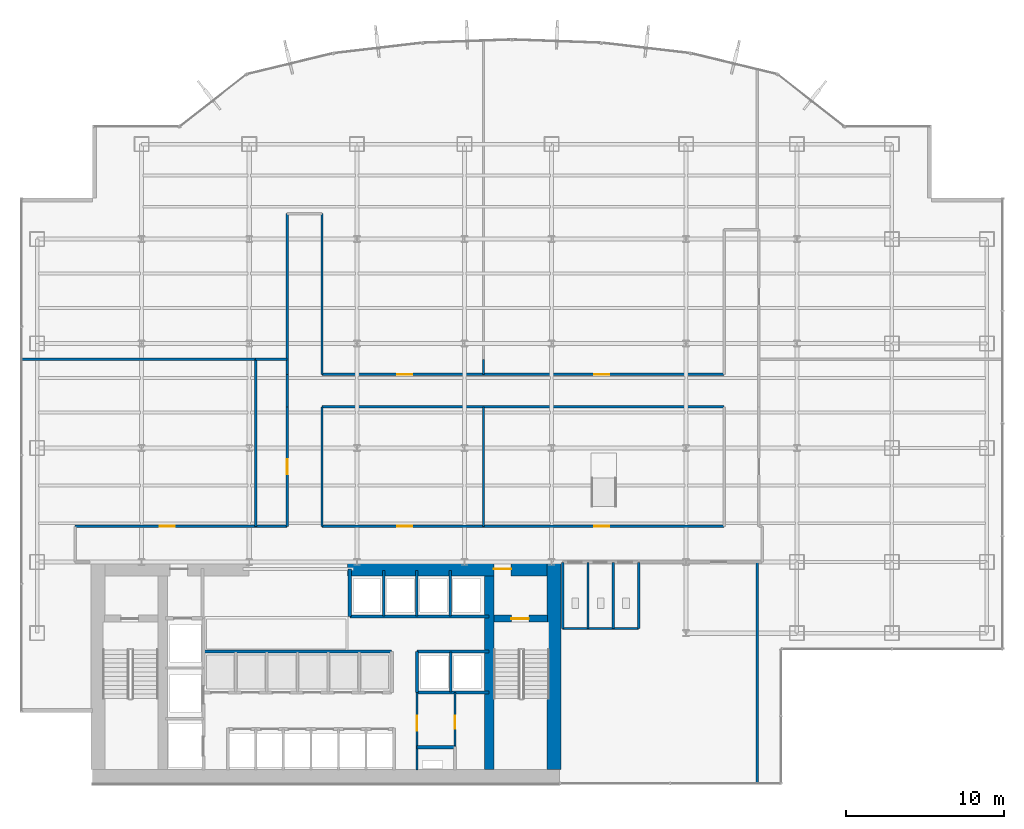
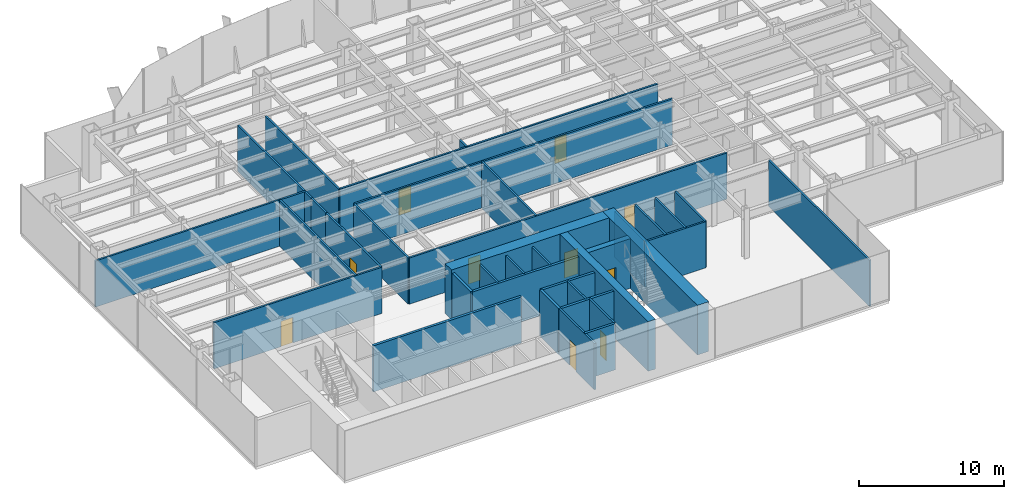
# One storey, part 29 of 35: 37 walls, 10 doors, 10 openings.
"""IFC4 building model written with IfcOpenShell, lengths in metres."""

from ifc_helpers import new_model, si_unit, derived_unit, direction, frame, frame_2d, origin, place, context, subcontext, project, spatial, rectangle, extrude, source, transform, mapped, material, layer, layer_set, type_object, element, fill, save


model = new_model("IFC4")

# Units and contexts
model_context = context("Model", 3, precision=1e-05, world=origin(), true_north=direction((0.0, 1.0)))
body_context = subcontext(model_context, "Body", "Model", "MODEL_VIEW")
ifc_project = project(units=[si_unit("LENGTHUNIT", "METRE"), si_unit("AREAUNIT", "SQUARE_METRE"), si_unit("VOLUMEUNIT", "CUBIC_METRE"), si_unit("PLANEANGLEUNIT", "RADIAN"), si_unit("MASSUNIT", "GRAM", prefix="KILO"), derived_unit("THERMALTRANSMITTANCEUNIT", [(si_unit("POWERUNIT", "WATT"), 1), (si_unit("LENGTHUNIT", "METRE"), -2), (si_unit("THERMODYNAMICTEMPERATUREUNIT", "KELVIN"), -1)])], contexts=[model_context])

# Site, building, storey
site_placement = place(None, origin())
site = spatial("IfcSite", under=ifc_project, at=site_placement, CompositionType="ELEMENT")
building_placement = place(site_placement, origin())
building = spatial("IfcBuilding", under=site, at=building_placement, Name="Skarnbrae Concourse Arena and Tower", CompositionType="ELEMENT")
storey_placement = place(building_placement, frame((0.0, 0.0, 79.949951171875)))
storey = spatial("IfcBuildingStorey", under=building, at=storey_placement, Name="L19", CompositionType="ELEMENT", Elevation=79.949951171875)

# Wall
ifc_material_1 = material(Name="Concrete 70 MPa (C70/85)", Category="concrete")
ifc_layer_1 = layer(ifc_material_1, 0.89990234375)
ifc_layer_set_1 = layer_set([ifc_layer_1], Name="Concrete 70 MPa (C70/85)")
wall_type_1 = type_object("IfcWallType", Name="WALL-CORE-900-C70", PredefinedType="SHEAR", material=ifc_layer_set_1)
shared_shape_1 = source(origin(), body_context, "Body", "SweptSolid", [
    extrude(rectangle(XDim=13.10009765625, YDim=0.89990234375, at=frame_2d((6.550048828125, 0.0))), origin(), (0.0, 0.0, 1.0), 4.199951171875),
])
wall_1_placement = place(storey_placement, frame((33.64990234375, 0.89990234375, 0.0), z_axis=(0.0, 0.0, 1.0), x_axis=(0.0, 1.0, 0.0)))
element("IfcWall", 1, at=wall_1_placement, inside=storey, type_object=wall_type_1, Name="L19 Rear core shear wall CW-E", PredefinedType="SHEAR", context=body_context, shape_type="MappedRepresentation", body=[
    mapped(shared_shape_1, transform((0.0, 0.0, 0.0))),
])

# Wall, opening, door
shared_shape_2 = source(origin(), body_context, "Body", "SweptSolid", [
    extrude(rectangle(XDim=12.599853515625, YDim=0.89990234375, at=frame_2d((6.2998046875, 0.0))), origin(), (0.0, 0.0, 1.0), 4.199951171875),
])
wall_2_placement = place(storey_placement, frame((20.60009765625, 13.550048828125, 0.0), z_axis=(0.0, 0.0, 1.0), x_axis=(1.0, 0.0, 0.0)))
wall_2 = element("IfcWall", 2, at=wall_2_placement, inside=storey, type_object=wall_type_1, Name="L19 Rear core shear wall CW-NE", PredefinedType="SHEAR", context=body_context, shape_type="MappedRepresentation", body=[
    mapped(shared_shape_2, transform((0.0, 0.0, 0.0))),
])
opening_1_placement = place(wall_2_placement, frame((9.25, 0.0, 0.0)))
opening_1 = element("IfcOpeningElement", 3, at=opening_1_placement, cuts=wall_2, Name="Opening DT-03", PredefinedType="OPENING", context=body_context, shape_type="SweptSolid", body=[
    extrude(rectangle(XDim=1.10009765625, YDim=2.14990234375, at=frame_2d((0.550048828125, 1.074951171875))), frame((0.0, 0.4599609375, 0.0), z_axis=(0.0, -1.0, 0.0), x_axis=(1.0, 0.0, 0.0)), (0.0, 0.0, 1.0), 0.919921875),
])
ifc_material_2 = material(Name="Steel CSA G40.21 350W", Category="steel")
door_type_1 = type_object("IfcDoorType", Name="DOOR-FIRE-1100-90M", OperationType="NOTDEFINED", PredefinedType="DOOR", material=ifc_material_2)
shared_shape_3 = source(origin(), body_context, "Body", "SweptSolid", [
    extrude(rectangle(XDim=1.10009765625, YDim=2.14990234375, at=frame_2d((0.550048828125, 1.074951171875))), frame((0.0, 0.02490234375, 0.0), z_axis=(0.0, -1.0, 0.0), x_axis=(1.0, 0.0, 0.0)), (0.0, 0.0, 1.0), 0.050048828125),
])
door_1_placement = place(opening_1_placement, origin())
door_1 = element("IfcDoor", 4, at=door_1_placement, inside=storey, type_object=door_type_1, Name="D-0690 Stair ST-2 Vestibule Door", OperationType="SINGLE_SWING_LEFT", OverallHeight=2.14990234375, OverallWidth=1.10009765625, PredefinedType="DOOR", context=body_context, shape_type="MappedRepresentation", body=[
    mapped(shared_shape_3, transform((0.0, 0.0, 0.0))),
])
fill(opening_1, door_1)

# Wall
ifc_layer_2 = layer(ifc_material_1, 0.60009765625)
ifc_layer_set_2 = layer_set([ifc_layer_2], Name="Concrete 70 MPa (C70/85)")
wall_type_2 = type_object("IfcWallType", Name="WALL-CORE-600-C70", PredefinedType="SHEAR", material=ifc_layer_set_2)
shared_shape_4 = source(origin(), body_context, "Body", "SweptSolid", [
    extrude(rectangle(XDim=12.2001953125, YDim=0.60009765625, at=frame_2d((6.10009765625, 0.0))), origin(), (0.0, 0.0, 1.0), 4.199951171875),
])
wall_3_placement = place(storey_placement, frame((29.56005859375, 0.89990234375, 0.0), z_axis=(0.0, 0.0, 1.0), x_axis=(0.0, 1.0, 0.0)))
element("IfcWall", 5, at=wall_3_placement, inside=storey, type_object=wall_type_2, Name="L19 Rear core shear wall CW-WEB-E", PredefinedType="SHEAR", context=body_context, shape_type="MappedRepresentation", body=[
    mapped(shared_shape_4, transform((0.0, 0.0, 0.0))),
])

# Wall, opening, door
ifc_material_3 = material(Name="Concrete 50 MPa (C50/60)", Category="concrete")
ifc_layer_3 = layer(ifc_material_3, 0.449951171875)
ifc_layer_set_3 = layer_set([ifc_layer_3], Name="Concrete 50 MPa (C50/60)")
wall_type_3 = type_object("IfcWallType", Name="WALL-CORE-450-C50", PredefinedType="SHEAR", material=ifc_layer_set_3)
shared_shape_5 = source(origin(), body_context, "Body", "SweptSolid", [
    extrude(rectangle(XDim=3.389892578125, YDim=0.449951171875, at=frame_2d((1.69482421875, 0.0))), origin(), (0.0, 0.0, 1.0), 4.199951171875),
])
wall_4_placement = place(storey_placement, frame((29.860107421875, 10.419921875, 0.0), z_axis=(0.0, 0.0, 1.0), x_axis=(1.0, 0.0, 0.0)))
wall_4 = element("IfcWall", 6, at=wall_4_placement, inside=storey, type_object=wall_type_3, Name="L19 Rear core shear wall CW-ST2-N", PredefinedType="SHEAR", context=body_context, shape_type="MappedRepresentation", body=[
    mapped(shared_shape_5, transform((0.0, 0.0, 0.0))),
])
opening_2_placement = place(wall_4_placement, frame((1.10009765625, 0.0, 0.0)))
opening_2 = element("IfcOpeningElement", 7, at=opening_2_placement, cuts=wall_4, Name="Opening DT-03", PredefinedType="OPENING", context=body_context, shape_type="SweptSolid", body=[
    extrude(rectangle(XDim=1.10009765625, YDim=2.14990234375, at=frame_2d((0.550048828125, 1.074951171875))), frame((0.0, 0.23486328125, 0.0), z_axis=(0.0, -1.0, 0.0), x_axis=(1.0, 0.0, 0.0)), (0.0, 0.0, 1.0), 0.469970703125),
])
door_2_placement = place(opening_2_placement, frame((1.10009765625, 0.0, 0.0), z_axis=(0.0, 0.0, 1.0), x_axis=(-1.0, 0.0, 0.0)))
door_2 = element("IfcDoor", 8, at=door_2_placement, inside=storey, type_object=door_type_1, Name="D-0688 Stair ST-2 Door", OperationType="SINGLE_SWING_RIGHT", OverallHeight=2.14990234375, OverallWidth=1.10009765625, PredefinedType="DOOR", context=body_context, shape_type="MappedRepresentation", body=[
    mapped(shared_shape_3, transform((0.0, 0.0, 0.0))),
])
fill(opening_2, door_2)

# Walls
ifc_material_4 = material(Name="Gypsum board on cold-formed steel studs", Category="steel")
ifc_layer_4 = layer(ifc_material_4, 0.199951171875)
ifc_layer_set_4 = layer_set([ifc_layer_4], Name="Gypsum board on cold-formed steel studs")
wall_type_4 = type_object("IfcWallType", Name="WALL-PART-200-2HR", PredefinedType="PARTITIONING", material=ifc_layer_set_4)
shared_shape_6 = source(origin(), body_context, "Body", "SweptSolid", [
    extrude(rectangle(XDim=11.849853515625, YDim=0.199951171875, at=frame_2d((5.9248046875, 0.0))), origin(), (0.0, 0.0, 1.0), 3.900146484375),
])
wall_5_placement = place(storey_placement, frame((11.550048828125, 8.35009765625, 0.0), z_axis=(0.0, 0.0, 1.0), x_axis=(1.0, 0.0, 0.0)))
element("IfcWall", 9, at=wall_5_placement, inside=storey, type_object=wall_type_4, Name="L19 Interior partition wall W-L19-B2-N", PredefinedType="PARTITIONING", context=body_context, shape_type="MappedRepresentation", body=[
    mapped(shared_shape_6, transform((0.0, 0.0, 0.0))),
])
shared_shape_7 = source(origin(), body_context, "Body", "SweptSolid", [
    extrude(rectangle(XDim=2.60009765625, YDim=0.199951171875, at=frame_2d((1.300048828125, 0.0))), origin(), (0.0, 0.0, 1.0), 3.900146484375),
])
wall_6_placement = place(storey_placement, frame((25.0, 5.75, 0.0), z_axis=(0.0, 0.0, 1.0), x_axis=(0.0, 1.0, 0.0)))
element("IfcWall", 10, at=wall_6_placement, inside=storey, type_object=wall_type_4, Name="L19 Interior partition wall W-L19-B3S-W", PredefinedType="PARTITIONING", context=body_context, shape_type="MappedRepresentation", body=[
    mapped(shared_shape_7, transform((0.0, 0.0, 0.0))),
])
ifc_layer_5 = layer(ifc_material_4, 0.14990234375)
ifc_layer_set_5 = layer_set([ifc_layer_5], Name="Gypsum board on cold-formed steel studs")
wall_type_5 = type_object("IfcWallType", Name="WALL-PART-150", PredefinedType="PARTITIONING", material=ifc_layer_set_5)
shared_shape_8 = source(origin(), body_context, "Body", "SweptSolid", [
    extrude(rectangle(XDim=2.5, YDim=0.14990234375, at=frame_2d((1.25, 0.0))), origin(), (0.0, 0.0, 1.0), 3.900146484375),
])
wall_7_placement = place(storey_placement, frame((27.139892578125, 5.800048828125, 0.0), z_axis=(0.0, 0.0, 1.0), x_axis=(0.0, 1.0, 0.0)))
element("IfcWall", 11, at=wall_7_placement, inside=storey, type_object=wall_type_5, Name="L19 Interior partition wall W-L19-B3S-P1", PredefinedType="PARTITIONING", context=body_context, shape_type="MappedRepresentation", body=[
    mapped(shared_shape_8, transform((0.0, 0.0, 0.0))),
])
shared_shape_9 = source(origin(), body_context, "Body", "SweptSolid", [
    extrude(rectangle(XDim=8.800048828125, YDim=0.199951171875, at=frame_2d((4.39990234375, 0.0))), origin(), (0.0, 0.0, 1.0), 3.900146484375),
])
wall_8_placement = place(storey_placement, frame((20.75, 10.550048828125, 0.0), z_axis=(0.0, 0.0, 1.0), x_axis=(1.0, 0.0, 0.0)))
element("IfcWall", 12, at=wall_8_placement, inside=storey, type_object=wall_type_4, Name="L19 Interior partition wall W-L19-B3N-S", PredefinedType="PARTITIONING", context=body_context, shape_type="MappedRepresentation", body=[
    mapped(shared_shape_9, transform((0.0, 0.0, 0.0))),
])
shared_shape_10 = source(origin(), body_context, "Body", "SweptSolid", [
    extrude(rectangle(XDim=3.0, YDim=0.199951171875, at=frame_2d((1.5, 0.0))), origin(), (0.0, 0.0, 1.0), 3.900146484375),
])
wall_9_placement = place(storey_placement, frame((20.75, 10.550048828125, 0.0), z_axis=(0.0, 0.0, 1.0), x_axis=(0.0, 1.0, 0.0)))
element("IfcWall", 13, at=wall_9_placement, inside=storey, type_object=wall_type_4, Name="L19 Interior partition wall W-L19-B3N-W", PredefinedType="PARTITIONING", context=body_context, shape_type="MappedRepresentation", body=[
    mapped(shared_shape_10, transform((0.0, 0.0, 0.0))),
])
shared_shape_11 = source(origin(), body_context, "Body", "SweptSolid", [
    extrude(rectangle(XDim=2.849853515625, YDim=0.14990234375, at=frame_2d((1.4248046875, 0.0))), origin(), (0.0, 0.0, 1.0), 3.900146484375),
])
for number, where, z_axis, x_axis, name in (
    (14, (22.889892578125, 10.60009765625, 0.0), (0.0, 0.0, 1.0), (0.0, 1.0, 0.0), "L19 Interior partition wall W-L19-B3N-P1"),
    (15, (24.989990234375, 10.60009765625, 0.0), (0.0, 0.0, 1.0), (0.0, 1.0, 0.0), "L19 Interior partition wall W-L19-B3N-P2"),
    (16, (27.090087890625, 10.60009765625, 0.0), (0.0, 0.0, 1.0), (0.0, 1.0, 0.0), "L19 Interior partition wall W-L19-B3N-P3"),
):
    element("IfcWall", number, at=place(storey_placement, frame(where, z_axis=z_axis, x_axis=x_axis)), inside=storey, type_object=wall_type_5, Name=name, PredefinedType="PARTITIONING", context=body_context, shape_type="MappedRepresentation", body=[
        mapped(shared_shape_11, transform((0.0, 0.0, 0.0))),
    ])
shared_shape_12 = source(origin(), body_context, "Body", "SweptSolid", [
    extrude(rectangle(XDim=4.550048828125, YDim=0.199951171875, at=frame_2d((2.27490234375, 0.0))), origin(), (0.0, 0.0, 1.0), 3.900146484375),
])
for number, where, z_axis, x_axis, name in (
    (17, (25.0, 8.35009765625, 0.0), (0.0, 0.0, 1.0), (1.0, 0.0, 0.0), "L19 Interior partition wall W-L19-B3S-N"),
    (18, (25.0, 5.75, 0.0), (0.0, 0.0, 1.0), (1.0, 0.0, 0.0), "L19 Interior partition wall W-L19-B3S-S"),
):
    element("IfcWall", number, at=place(storey_placement, frame(where, z_axis=z_axis, x_axis=x_axis)), inside=storey, type_object=wall_type_4, Name=name, PredefinedType="PARTITIONING", context=body_context, shape_type="MappedRepresentation", body=[
        mapped(shared_shape_12, transform((0.0, 0.0, 0.0))),
    ])

# Wall, opening, door
ifc_layer_6 = layer(ifc_material_4, 0.14990234375)
ifc_layer_set_6 = layer_set([ifc_layer_6], Name="Gypsum board on cold-formed steel studs")
wall_type_6 = type_object("IfcWallType", Name="WALL-PART-150-1HR", PredefinedType="PARTITIONING", material=ifc_layer_set_6)
shared_shape_13 = source(origin(), body_context, "Body", "SweptSolid", [
    extrude(rectangle(XDim=4.89990234375, YDim=0.14990234375, at=frame_2d((2.449951171875, 0.0))), origin(), (0.0, 0.0, 1.0), 3.900146484375),
])
wall_10_placement = place(storey_placement, frame((25.0, 0.85009765625, 0.0), z_axis=(0.0, 0.0, 1.0), x_axis=(0.0, 1.0, 0.0)))
wall_10 = element("IfcWall", 19, at=wall_10_placement, inside=storey, type_object=wall_type_6, Name="L19 Interior partition wall W-L19-CSV-W", PredefinedType="PARTITIONING", context=body_context, shape_type="MappedRepresentation", body=[
    mapped(shared_shape_13, transform((0.0, 0.0, 0.0))),
])
opening_3_placement = place(wall_10_placement, frame((2.5, 0.0, 0.0)))
opening_3 = element("IfcOpeningElement", 20, at=opening_3_placement, cuts=wall_10, Name="Opening DT-04", PredefinedType="OPENING", context=body_context, shape_type="SweptSolid", body=[
    extrude(rectangle(XDim=0.949951171875, YDim=2.14990234375, at=frame_2d((0.47509765625, 1.074951171875))), frame((0.0, 0.0849609375, 0.0), z_axis=(0.0, -1.0, 0.0), x_axis=(1.0, 0.0, 0.0)), (0.0, 0.0, 1.0), 0.169921875),
])
door_type_2 = type_object("IfcDoorType", Name="DOOR-INT-950-45M", OperationType="NOTDEFINED", PredefinedType="DOOR", material=ifc_material_2)
shared_shape_14 = source(origin(), body_context, "Body", "SweptSolid", [
    extrude(rectangle(XDim=0.949951171875, YDim=2.14990234375, at=frame_2d((0.47509765625, 1.074951171875))), frame((0.0, 0.02490234375, 0.0), z_axis=(0.0, -1.0, 0.0), x_axis=(1.0, 0.0, 0.0)), (0.0, 0.0, 1.0), 0.050048828125),
])
door_3_placement = place(opening_3_placement, origin())
door_3 = element("IfcDoor", 21, at=door_3_placement, inside=storey, type_object=door_type_2, Name="D-0706 Core Pantry Door", OperationType="SINGLE_SWING_RIGHT", OverallHeight=2.14990234375, OverallWidth=0.949951171875, PredefinedType="DOOR", context=body_context, shape_type="MappedRepresentation", body=[
    mapped(shared_shape_14, transform((0.0, 0.0, 0.0))),
])
fill(opening_3, door_3)

# Wall
shared_shape_15 = source(origin(), body_context, "Body", "SweptSolid", [
    extrude(rectangle(XDim=2.39990234375, YDim=0.199951171875, at=frame_2d((1.199951171875, 0.0))), origin(), (0.0, 0.0, 1.0), 3.900146484375),
])
wall_11_placement = place(storey_placement, frame((25.0, 2.300048828125, 0.0), z_axis=(0.0, 0.0, 1.0), x_axis=(1.0, 0.0, 0.0)))
element("IfcWall", 22, at=wall_11_placement, inside=storey, type_object=wall_type_4, Name="L19 Interior partition wall W-L19-MEP-N", PredefinedType="PARTITIONING", context=body_context, shape_type="MappedRepresentation", body=[
    mapped(shared_shape_15, transform((0.0, 0.0, 0.0))),
])

# Wall, opening, door
shared_shape_16 = source(origin(), body_context, "Body", "SweptSolid", [
    extrude(rectangle(XDim=3.39990234375, YDim=0.14990234375, at=frame_2d((1.699951171875, 0.0))), origin(), (0.0, 0.0, 1.0), 3.900146484375),
])
wall_12_placement = place(storey_placement, frame((27.39990234375, 2.35009765625, 0.0), z_axis=(0.0, 0.0, 1.0), x_axis=(0.0, 1.0, 0.0)))
wall_12 = element("IfcWall", 23, at=wall_12_placement, inside=storey, type_object=wall_type_5, Name="L19 Interior partition wall W-L19-CSV-V", PredefinedType="PARTITIONING", context=body_context, shape_type="MappedRepresentation", body=[
    mapped(shared_shape_16, transform((0.0, 0.0, 0.0))),
])
opening_4_placement = place(wall_12_placement, frame((1.10009765625, 0.0, 0.0)))
opening_4 = element("IfcOpeningElement", 24, at=opening_4_placement, cuts=wall_12, Name="Opening DT-06", PredefinedType="OPENING", context=body_context, shape_type="SweptSolid", body=[
    extrude(rectangle(XDim=0.85009765625, YDim=2.10009765625, at=frame_2d((0.425048828125, 1.050048828125))), frame((0.0, 0.0849609375, 0.0), z_axis=(0.0, -1.0, 0.0), x_axis=(1.0, 0.0, 0.0)), (0.0, 0.0, 1.0), 0.169921875),
])
ifc_material_5 = material(Name="Architectural oak veneer timber leaf", Category="wood")
door_type_3 = type_object("IfcDoorType", Name="DOOR-INT-850", OperationType="NOTDEFINED", PredefinedType="DOOR", material=ifc_material_5)
shared_shape_17 = source(origin(), body_context, "Body", "SweptSolid", [
    extrude(rectangle(XDim=0.85009765625, YDim=2.10009765625, at=frame_2d((0.425048828125, 1.050048828125))), frame((0.0, 0.02490234375, 0.0), z_axis=(0.0, -1.0, 0.0), x_axis=(1.0, 0.0, 0.0)), (0.0, 0.0, 1.0), 0.050048828125),
])
door_4_placement = place(opening_4_placement, frame((0.85009765625, 0.0, 0.0), z_axis=(0.0, 0.0, 1.0), x_axis=(-1.0, 0.0, 0.0)))
door_4 = element("IfcDoor", 25, at=door_4_placement, inside=storey, type_object=door_type_3, Name="D-0707 Supply Cupboard Door", OperationType="SINGLE_SWING_LEFT", OverallHeight=2.10009765625, OverallWidth=0.85009765625, PredefinedType="DOOR", context=body_context, shape_type="MappedRepresentation", body=[
    mapped(shared_shape_17, transform((0.0, 0.0, 0.0))),
])
fill(opening_4, door_4)

# Walls
shared_shape_18 = source(origin(), body_context, "Body", "SweptSolid", [
    extrude(rectangle(XDim=4.800048828125, YDim=0.14990234375, at=frame_2d((2.39990234375, 0.0))), origin(), (0.0, 0.0, 1.0), 3.900146484375),
])
wall_13_placement = place(storey_placement, frame((34.199951171875, 9.800048828125, 0.0), z_axis=(0.0, 0.0, 1.0), x_axis=(1.0, 0.0, 0.0)))
element("IfcWall", 26, at=wall_13_placement, inside=storey, type_object=wall_type_5, Name="L19 Interior partition wall W-L19-WC-S", PredefinedType="PARTITIONING", context=body_context, shape_type="MappedRepresentation", body=[
    mapped(shared_shape_18, transform((0.0, 0.0, 0.0))),
])
shared_shape_19 = source(origin(), body_context, "Body", "SweptSolid", [
    extrude(rectangle(XDim=4.179931640625, YDim=0.14990234375, at=frame_2d((2.08984375, 0.0))), origin(), (0.0, 0.0, 1.0), 3.900146484375),
])
for number, where, z_axis, x_axis, name in (
    (27, (39.0, 9.800048828125, 0.0), (0.0, 0.0, 1.0), (0.0, 1.0, 0.0), "L19 Interior partition wall W-L19-WC-E"),
    (28, (34.199951171875, 9.800048828125, 0.0), (0.0, 0.0, 1.0), (0.0, 1.0, 0.0), "L19 Interior partition wall W-L19-WC-W"),
    (29, (35.800048828125, 9.800048828125, 0.0), (0.0, 0.0, 1.0), (0.0, 1.0, 0.0), "L19 Interior partition wall W-L19-WC-D1"),
    (30, (37.39990234375, 9.800048828125, 0.0), (0.0, 0.0, 1.0), (0.0, 1.0, 0.0), "L19 Interior partition wall W-L19-WC-D2"),
):
    element("IfcWall", number, at=place(storey_placement, frame(where, z_axis=z_axis, x_axis=x_axis)), inside=storey, type_object=wall_type_5, Name=name, PredefinedType="PARTITIONING", context=body_context, shape_type="MappedRepresentation", body=[
        mapped(shared_shape_19, transform((0.0, 0.0, 0.0))),
    ])

# Wall, opening, door
shared_shape_20 = source(origin(), body_context, "Body", "SweptSolid", [
    extrude(rectangle(XDim=13.400146484375, YDim=0.14990234375, at=frame_2d((6.7001953125, 0.0))), origin(), (0.0, 0.0, 1.0), 3.900146484375),
])
wall_14_placement = place(storey_placement, frame((3.39990234375, 16.25, 0.0), z_axis=(0.0, 0.0, 1.0), x_axis=(1.0, 0.0, 0.0)))
wall_14 = element("IfcWall", 31, at=wall_14_placement, inside=storey, type_object=wall_type_6, Name="L19 Interior partition wall W-L19-COR-03", PredefinedType="PARTITIONING", context=body_context, shape_type="MappedRepresentation", body=[
    mapped(shared_shape_20, transform((0.0, 0.0, 0.0))),
])
opening_5_placement = place(wall_14_placement, frame((5.35498046875, 0.0, 0.0)))
opening_5 = element("IfcOpeningElement", 32, at=opening_5_placement, cuts=wall_14, Name="Opening DT-04", PredefinedType="OPENING", context=body_context, shape_type="SweptSolid", body=[
    extrude(rectangle(XDim=0.949951171875, YDim=2.14990234375, at=frame_2d((0.47509765625, 1.074951171875))), frame((0.0, 0.0849609375, 0.0), z_axis=(0.0, -1.0, 0.0), x_axis=(1.0, 0.0, 0.0)), (0.0, 0.0, 1.0), 0.169921875),
])
door_5_placement = place(opening_5_placement, origin())
door_5 = element("IfcDoor", 33, at=door_5_placement, inside=storey, type_object=door_type_2, Name="D-0711 L19 Suite Door 01", OperationType="SINGLE_SWING_LEFT", OverallHeight=2.14990234375, OverallWidth=0.949951171875, PredefinedType="DOOR", context=body_context, shape_type="MappedRepresentation", body=[
    mapped(shared_shape_14, transform((0.0, 0.0, 0.0))),
])
fill(opening_5, door_5)

shared_shape_21 = source(origin(), body_context, "Body", "SweptSolid", [
    extrude(rectangle(XDim=7.550048828125, YDim=0.14990234375, at=frame_2d((3.77490234375, 0.0))), origin(), (0.0, 0.0, 1.0), 3.900146484375),
])
wall_15_placement = place(storey_placement, frame((16.800048828125, 16.25, 0.0), z_axis=(0.0, 0.0, 1.0), x_axis=(0.0, 1.0, 0.0)))
wall_15 = element("IfcWall", 34, at=wall_15_placement, inside=storey, type_object=wall_type_6, Name="L19 Interior partition wall W-L19-COR-04", PredefinedType="PARTITIONING", context=body_context, shape_type="MappedRepresentation", body=[
    mapped(shared_shape_21, transform((0.0, 0.0, 0.0))),
])
opening_6_placement = place(wall_15_placement, frame((3.300048828125, 0.0, 0.0)))
opening_6 = element("IfcOpeningElement", 35, at=opening_6_placement, cuts=wall_15, Name="Opening DT-04", PredefinedType="OPENING", context=body_context, shape_type="SweptSolid", body=[
    extrude(rectangle(XDim=0.949951171875, YDim=2.14990234375, at=frame_2d((0.47509765625, 1.074951171875))), frame((0.0, 0.0849609375, 0.0), z_axis=(0.0, -1.0, 0.0), x_axis=(1.0, 0.0, 0.0)), (0.0, 0.0, 1.0), 0.169921875),
])
door_6_placement = place(opening_6_placement, origin())
door_6 = element("IfcDoor", 36, at=door_6_placement, inside=storey, type_object=door_type_2, Name="D-0712 L19 Suite Door 02", OperationType="SINGLE_SWING_RIGHT", OverallHeight=2.14990234375, OverallWidth=0.949951171875, PredefinedType="DOOR", context=body_context, shape_type="MappedRepresentation", body=[
    mapped(shared_shape_14, transform((0.0, 0.0, 0.0))),
])
fill(opening_6, door_6)

# Walls
wall_16_placement = place(storey_placement, frame((19.0, 23.800048828125, 0.0), z_axis=(0.0, 0.0, 1.0), x_axis=(0.0, -1.0, 0.0)))
element("IfcWall", 37, at=wall_16_placement, inside=storey, type_object=wall_type_6, Name="L19 Interior partition wall W-L19-COR-21", PredefinedType="PARTITIONING", context=body_context, shape_type="MappedRepresentation", body=[
    mapped(shared_shape_21, transform((0.0, 0.0, 0.0))),
])
wall_17_placement = place(storey_placement, frame((29.199951171875, 23.800048828125, 0.0), z_axis=(0.0, 0.0, 1.0), x_axis=(0.0, -1.0, 0.0)))
element("IfcWall", 38, at=wall_17_placement, inside=storey, type_object=wall_type_5, Name="L19 Interior partition wall W-L19-DEM-25", PredefinedType="PARTITIONING", context=body_context, shape_type="MappedRepresentation", body=[
    mapped(shared_shape_21, transform((0.0, 0.0, 0.0))),
])
shared_shape_22 = source(origin(), body_context, "Body", "SweptSolid", [
    extrude(rectangle(XDim=2.050048828125, YDim=0.14990234375, at=frame_2d((1.02490234375, 0.0))), origin(), (0.0, 0.0, 1.0), 3.900146484375),
])
wall_18_placement = place(storey_placement, frame((16.800048828125, 23.800048828125, 0.0), z_axis=(0.0, 0.0, 1.0), x_axis=(0.0, 1.0, 0.0)))
element("IfcWall", 39, at=wall_18_placement, inside=storey, type_object=wall_type_6, Name="L19 Interior partition wall W-L19-COR-05", PredefinedType="PARTITIONING", context=body_context, shape_type="MappedRepresentation", body=[
    mapped(shared_shape_22, transform((0.0, 0.0, 0.0))),
])
shared_shape_23 = source(origin(), body_context, "Body", "SweptSolid", [
    extrude(rectangle(XDim=10.14990234375, YDim=0.14990234375, at=frame_2d((5.074951171875, 0.0))), origin(), (0.0, 0.0, 1.0), 3.900146484375),
])
for number, where, z_axis, x_axis, name in (
    (40, (16.800048828125, 25.85009765625, 0.0), (0.0, 0.0, 1.0), (0.0, 1.0, 0.0), "L19 Interior partition wall W-L19-COR-06"),
    (41, (19.0, 36.0, 0.0), (0.0, 0.0, 1.0), (0.0, -1.0, 0.0), "L19 Interior partition wall W-L19-COR-08"),
):
    element("IfcWall", number, at=place(storey_placement, frame(where, z_axis=z_axis, x_axis=x_axis)), inside=storey, type_object=wall_type_6, Name=name, PredefinedType="PARTITIONING", context=body_context, shape_type="MappedRepresentation", body=[
        mapped(shared_shape_23, transform((0.0, 0.0, 0.0))),
    ])

# Wall, openings, doors
shared_shape_24 = source(origin(), body_context, "Body", "SweptSolid", [
    extrude(rectangle(XDim=25.39990234375, YDim=0.14990234375, at=frame_2d((12.699951171875, 0.0))), origin(), (0.0, 0.0, 1.0), 3.900146484375),
])
wall_19_placement = place(storey_placement, frame((19.0, 25.85009765625, 0.0), z_axis=(0.0, 0.0, 1.0), x_axis=(1.0, 0.0, 0.0)))
wall_19 = element("IfcWall", 42, at=wall_19_placement, inside=storey, type_object=wall_type_6, Name="L19 Interior partition wall W-L19-COR-09", PredefinedType="PARTITIONING", context=body_context, shape_type="MappedRepresentation", body=[
    mapped(shared_shape_24, transform((0.0, 0.0, 0.0))),
])
opening_7_placement = place(wall_19_placement, frame((4.7548828125, 0.0, 0.0)))
opening_7 = element("IfcOpeningElement", 43, at=opening_7_placement, cuts=wall_19, Name="Opening DT-04", PredefinedType="OPENING", context=body_context, shape_type="SweptSolid", body=[
    extrude(rectangle(XDim=0.949951171875, YDim=2.14990234375, at=frame_2d((0.47509765625, 1.074951171875))), frame((0.0, 0.0849609375, 0.0), z_axis=(0.0, -1.0, 0.0), x_axis=(1.0, 0.0, 0.0)), (0.0, 0.0, 1.0), 0.169921875),
])
opening_8_placement = place(wall_19_placement, frame((17.195068359375, 0.0, 0.0)))
opening_8 = element("IfcOpeningElement", 44, at=opening_8_placement, cuts=wall_19, Name="Opening DT-04", PredefinedType="OPENING", context=body_context, shape_type="SweptSolid", body=[
    extrude(rectangle(XDim=0.949951171875, YDim=2.14990234375, at=frame_2d((0.47509765625, 1.074951171875))), frame((0.0, 0.0849609375, 0.0), z_axis=(0.0, -1.0, 0.0), x_axis=(1.0, 0.0, 0.0)), (0.0, 0.0, 1.0), 0.169921875),
])
door_7_placement = place(opening_7_placement, origin())
door_7 = element("IfcDoor", 45, at=door_7_placement, inside=storey, type_object=door_type_2, Name="D-0713 L19 Suite Door 03", OperationType="SINGLE_SWING_LEFT", OverallHeight=2.14990234375, OverallWidth=0.949951171875, PredefinedType="DOOR", context=body_context, shape_type="MappedRepresentation", body=[
    mapped(shared_shape_14, transform((0.0, 0.0, 0.0))),
])
fill(opening_7, door_7)
door_8_placement = place(opening_8_placement, origin())
door_8 = element("IfcDoor", 46, at=door_8_placement, inside=storey, type_object=door_type_2, Name="D-0716 L19 Suite Door 06", OperationType="SINGLE_SWING_RIGHT", OverallHeight=2.14990234375, OverallWidth=0.949951171875, PredefinedType="DOOR", context=body_context, shape_type="MappedRepresentation", body=[
    mapped(shared_shape_14, transform((0.0, 0.0, 0.0))),
])
fill(opening_8, door_8)

wall_20_placement = place(storey_placement, frame((19.0, 16.25, 0.0), z_axis=(0.0, 0.0, 1.0), x_axis=(1.0, 0.0, 0.0)))
wall_20 = element("IfcWall", 47, at=wall_20_placement, inside=storey, type_object=wall_type_6, Name="L19 Interior partition wall W-L19-COR-18", PredefinedType="PARTITIONING", context=body_context, shape_type="MappedRepresentation", body=[
    mapped(shared_shape_24, transform((0.0, 0.0, 0.0))),
])
opening_9_placement = place(wall_20_placement, frame((4.7548828125, 0.0, 0.0)))
opening_9 = element("IfcOpeningElement", 48, at=opening_9_placement, cuts=wall_20, Name="Opening DT-04", PredefinedType="OPENING", context=body_context, shape_type="SweptSolid", body=[
    extrude(rectangle(XDim=0.949951171875, YDim=2.14990234375, at=frame_2d((0.47509765625, 1.074951171875))), frame((0.0, 0.0849609375, 0.0), z_axis=(0.0, -1.0, 0.0), x_axis=(1.0, 0.0, 0.0)), (0.0, 0.0, 1.0), 0.169921875),
])
opening_10_placement = place(wall_20_placement, frame((17.195068359375, 0.0, 0.0)))
opening_10 = element("IfcOpeningElement", 49, at=opening_10_placement, cuts=wall_20, Name="Opening DT-04", PredefinedType="OPENING", context=body_context, shape_type="SweptSolid", body=[
    extrude(rectangle(XDim=0.949951171875, YDim=2.14990234375, at=frame_2d((0.47509765625, 1.074951171875))), frame((0.0, 0.0849609375, 0.0), z_axis=(0.0, -1.0, 0.0), x_axis=(1.0, 0.0, 0.0)), (0.0, 0.0, 1.0), 0.169921875),
])
door_9_placement = place(opening_9_placement, origin())
door_9 = element("IfcDoor", 50, at=door_9_placement, inside=storey, type_object=door_type_2, Name="D-0714 L19 Suite Door 04", OperationType="SINGLE_SWING_RIGHT", OverallHeight=2.14990234375, OverallWidth=0.949951171875, PredefinedType="DOOR", context=body_context, shape_type="MappedRepresentation", body=[
    mapped(shared_shape_14, transform((0.0, 0.0, 0.0))),
])
fill(opening_9, door_9)
door_10_placement = place(opening_10_placement, origin())
door_10 = element("IfcDoor", 51, at=door_10_placement, inside=storey, type_object=door_type_2, Name="D-0715 L19 Suite Door 05", OperationType="SINGLE_SWING_LEFT", OverallHeight=2.14990234375, OverallWidth=0.949951171875, PredefinedType="DOOR", context=body_context, shape_type="MappedRepresentation", body=[
    mapped(shared_shape_14, transform((0.0, 0.0, 0.0))),
])
fill(opening_10, door_10)

# Walls
wall_21_placement = place(storey_placement, frame((44.39990234375, 23.800048828125, 0.0), z_axis=(0.0, 0.0, 1.0), x_axis=(-1.0, 0.0, 0.0)))
element("IfcWall", 52, at=wall_21_placement, inside=storey, type_object=wall_type_6, Name="L19 Interior partition wall W-L19-COR-20", PredefinedType="PARTITIONING", context=body_context, shape_type="MappedRepresentation", body=[
    mapped(shared_shape_24, transform((0.0, 0.0, 0.0))),
])
shared_shape_25 = source(origin(), body_context, "Body", "SweptSolid", [
    extrude(rectangle(XDim=14.780029296875, YDim=0.14990234375, at=frame_2d((7.39013671875, 0.0))), origin(), (0.0, 0.0, 1.0), 3.900146484375),
])
wall_22_placement = place(storey_placement, frame((0.02001953125, 26.800048828125, 0.0), z_axis=(0.0, 0.0, 1.0), x_axis=(1.0, 0.0, 0.0)))
element("IfcWall", 53, at=wall_22_placement, inside=storey, type_object=wall_type_5, Name="L19 Interior partition wall W-L19-DEM-22", PredefinedType="PARTITIONING", context=body_context, shape_type="MappedRepresentation", body=[
    mapped(shared_shape_25, transform((0.0, 0.0, 0.0))),
])
shared_shape_26 = source(origin(), body_context, "Body", "SweptSolid", [
    extrude(rectangle(XDim=10.550048828125, YDim=0.14990234375, at=frame_2d((5.27490234375, 0.0))), origin(), (0.0, 0.0, 1.0), 3.900146484375),
])
wall_23_placement = place(storey_placement, frame((14.800048828125, 26.800048828125, 0.0), z_axis=(0.0, 0.0, 1.0), x_axis=(0.0, -1.0, 0.0)))
element("IfcWall", 54, at=wall_23_placement, inside=storey, type_object=wall_type_5, Name="L19 Interior partition wall W-L19-DEM-23", PredefinedType="PARTITIONING", context=body_context, shape_type="MappedRepresentation", body=[
    mapped(shared_shape_26, transform((0.0, 0.0, 0.0))),
])
shared_shape_27 = source(origin(), body_context, "Body", "SweptSolid", [
    extrude(rectangle(XDim=2.0, YDim=0.14990234375, at=frame_2d((1.0, 0.0))), origin(), (0.0, 0.0, 1.0), 3.900146484375),
])
wall_24_placement = place(storey_placement, frame((14.800048828125, 26.800048828125, 0.0), z_axis=(0.0, 0.0, 1.0), x_axis=(1.0, 0.0, 0.0)))
element("IfcWall", 55, at=wall_24_placement, inside=storey, type_object=wall_type_5, Name="L19 Interior partition wall W-L19-DEM-24", PredefinedType="PARTITIONING", context=body_context, shape_type="MappedRepresentation", body=[
    mapped(shared_shape_27, transform((0.0, 0.0, 0.0))),
])
shared_shape_28 = source(origin(), body_context, "Body", "SweptSolid", [
    extrude(rectangle(XDim=0.949951171875, YDim=0.14990234375, at=frame_2d((0.47509765625, 0.0))), origin(), (0.0, 0.0, 1.0), 3.900146484375),
])
wall_25_placement = place(storey_placement, frame((29.199951171875, 26.800048828125, 0.0), z_axis=(0.0, 0.0, 1.0), x_axis=(0.0, -1.0, 0.0)))
element("IfcWall", 56, at=wall_25_placement, inside=storey, type_object=wall_type_5, Name="L19 Interior partition wall W-L19-DEM-27", PredefinedType="PARTITIONING", context=body_context, shape_type="MappedRepresentation", body=[
    mapped(shared_shape_28, transform((0.0, 0.0, 0.0))),
])
shared_shape_29 = source(origin(), body_context, "Body", "SweptSolid", [
    extrude(rectangle(XDim=13.97998046875, YDim=0.14990234375, at=frame_2d((6.989990234375, 0.0))), origin(), (0.0, 0.0, 1.0), 3.900146484375),
])
wall_26_placement = place(storey_placement, frame((46.5, 14.0, 0.0), z_axis=(0.0, 0.0, 1.0), x_axis=(0.0, -1.0, 0.0)))
element("IfcWall", 57, at=wall_26_placement, inside=storey, type_object=wall_type_5, Name="L19 Interior partition wall W-L19-DEM-28", PredefinedType="PARTITIONING", context=body_context, shape_type="MappedRepresentation", body=[
    mapped(shared_shape_29, transform((0.0, 0.0, 0.0))),
])

save(model, "model.ifc")
